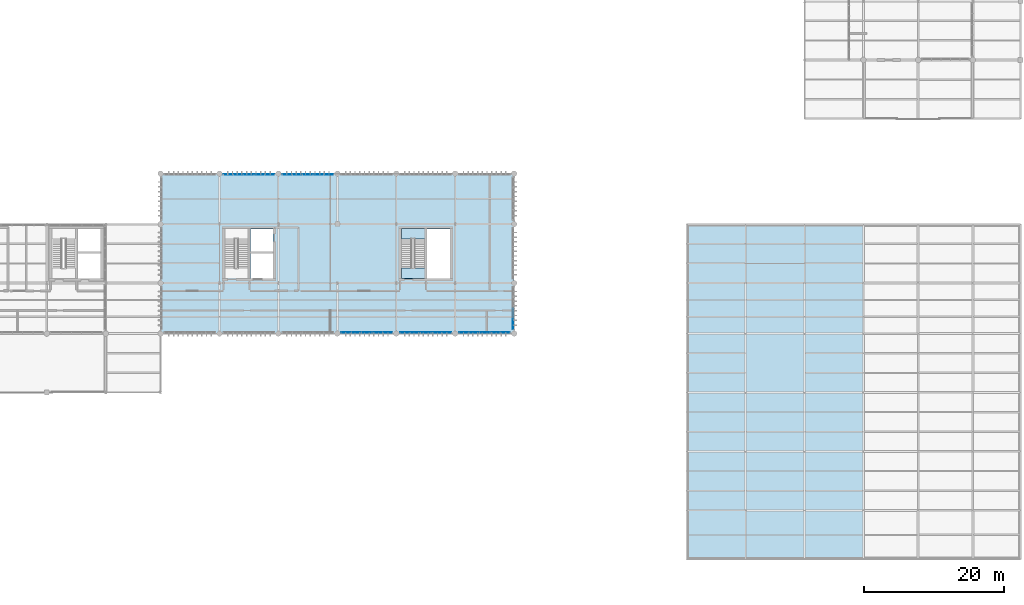
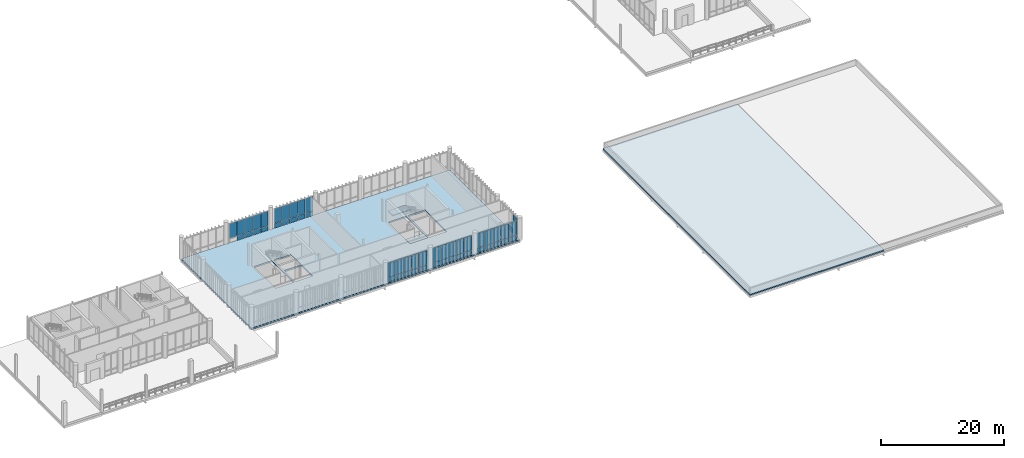
# One storey, part 53 of 68: 52 plates, 4 slabs, 7 elements without a shape of their own.
"""IFC4 building model written with IfcOpenShell, lengths in metres."""

from ifc_helpers import new_model, si_unit, direction, frame, frame_2d, origin_with_axes, place, context, subcontext, project, spatial, polyline, rectangle, outline, extrude, material, layer, layer_set, type_object, element, aggregate, save


model = new_model("IFC4")

# Units and contexts
model_context = context("Model", 3, precision=1e-05, world=origin_with_axes(), true_north=direction((0.0, 1.0)))
body_context = subcontext(model_context, "Body", "Model", "MODEL_VIEW")
ifc_project = project(units=[si_unit("LENGTHUNIT", "METRE"), si_unit("AREAUNIT", "SQUARE_METRE"), si_unit("VOLUMEUNIT", "CUBIC_METRE"), si_unit("PLANEANGLEUNIT", "RADIAN"), si_unit("MASSUNIT", "GRAM", prefix="KILO"), si_unit("THERMODYNAMICTEMPERATUREUNIT", "KELVIN")], contexts=[model_context])

# Site, building, storey
site_placement = place(None, origin_with_axes())
site = spatial("IfcSite", under=ifc_project, at=site_placement, CompositionType="ELEMENT")
building_placement = place(site_placement, origin_with_axes())
building = spatial("IfcBuilding", under=site, at=building_placement, Name="Montbau Bow Law Courts", CompositionType="ELEMENT")
storey_placement = place(building_placement, frame((0.0, 0.0, 20.4), z_axis=(0.0, 0.0, 1.0), x_axis=(1.0, 0.0, 0.0)))
storey = spatial("IfcBuildingStorey", under=building, at=storey_placement, Name="L04", CompositionType="ELEMENT", Elevation=20.4)

# Curtain wall, plates
ifc_material_1 = material(Name="Thermally Broken Extruded Aluminium AA 6063-T6", Category="aluminium")
curtain_wall_type = type_object("IfcCurtainWallType", Name="CW-CRM-01", PredefinedType="NOTDEFINED", material=ifc_material_1)
curtain_wall_1_placement = place(None, frame((72.515, 39.14, 20.4), z_axis=(0.0, 0.0, 1.0), x_axis=(1.0, 0.0, 0.0)))
curtain_wall_1 = element("IfcCurtainWall", 1, at=curtain_wall_1_placement, inside=storey, type_object=curtain_wall_type, Name="CW-L04-196:cw_0196", PredefinedType="NOTDEFINED")
ifc_material_2 = material(Name="Triple-Glazed Low-E Argon Insulating Glass Unit", Category="glass")
ifc_layer_1 = layer(ifc_material_2, 0.044, Name="Curtain Panel", Category="glass")
ifc_layer_set_1 = layer_set([ifc_layer_1], Name="Triple-Glazed Low-E Argon Insulating Glass Unit")
plate_type_1 = type_object("IfcPlateType", Name="PL-CWP-01", PredefinedType="CURTAIN_PANEL", material=ifc_layer_set_1)
plate_1_placement = place(None, frame((72.583, 39.14, 21.382), z_axis=(0.0, -1.0, 0.0), x_axis=(1.0, 0.0, 0.0)))
plate_1 = element("IfcPlate", 2, at=plate_1_placement, type_object=plate_type_1, Name="CW-L04-196-P01-2:cw_0196_P01_2", PredefinedType="CURTAIN_PANEL", context=body_context, shape_type="SweptSolid", body=[
    extrude(rectangle(XDim=1.372, YDim=2.876, at=frame_2d((0.686, 1.438), x_axis=(1.0, 0.0))), frame((0.0, 0.0, -0.022), z_axis=(0.0, 0.0, 1.0), x_axis=(1.0, 0.0, 0.0)), (0.0, 0.0, 1.0), 0.044),
])
plate_2_placement = place(None, frame((74.023, 39.14, 21.382), z_axis=(0.0, -1.0, 0.0), x_axis=(1.0, 0.0, 0.0)))
plate_2 = element("IfcPlate", 3, at=plate_2_placement, type_object=plate_type_1, Name="CW-L04-196-P02-2:cw_0196_P02_2", PredefinedType="CURTAIN_PANEL", context=body_context, shape_type="SweptSolid", body=[
    extrude(rectangle(XDim=1.405, YDim=2.876, at=frame_2d((0.7025, 1.438), x_axis=(1.0, 0.0))), frame((0.0, 0.0, -0.022), z_axis=(0.0, 0.0, 1.0), x_axis=(1.0, 0.0, 0.0)), (0.0, 0.0, 1.0), 0.044),
])
plate_3_placement = place(None, frame((75.497, 39.14, 21.382), z_axis=(0.0, -1.0, 0.0), x_axis=(1.0, 0.0, 0.0)))
plate_3 = element("IfcPlate", 4, at=plate_3_placement, type_object=plate_type_1, Name="CW-L04-196-P03-2:cw_0196_P03_2", PredefinedType="CURTAIN_PANEL", context=body_context, shape_type="SweptSolid", body=[
    extrude(rectangle(XDim=1.406, YDim=2.876, at=frame_2d((0.703, 1.438), x_axis=(1.0, 0.0))), frame((0.0, 0.0, -0.022), z_axis=(0.0, 0.0, 1.0), x_axis=(1.0, 0.0, 0.0)), (0.0, 0.0, 1.0), 0.044),
])
plate_4_placement = place(None, frame((76.971, 39.14, 21.382), z_axis=(0.0, -1.0, 0.0), x_axis=(1.0, 0.0, 0.0)))
plate_4 = element("IfcPlate", 5, at=plate_4_placement, type_object=plate_type_1, Name="CW-L04-196-P04-2:cw_0196_P04_2", PredefinedType="CURTAIN_PANEL", context=body_context, shape_type="SweptSolid", body=[
    extrude(rectangle(XDim=1.406, YDim=2.876, at=frame_2d((0.703, 1.438), x_axis=(1.0, 0.0))), frame((0.0, 0.0, -0.022), z_axis=(0.0, 0.0, 1.0), x_axis=(1.0, 0.0, 0.0)), (0.0, 0.0, 1.0), 0.044),
])
plate_5_placement = place(None, frame((78.445, 39.14, 21.382), z_axis=(0.0, -1.0, 0.0), x_axis=(1.0, 0.0, 0.0)))
plate_5 = element("IfcPlate", 6, at=plate_5_placement, type_object=plate_type_1, Name="CW-L04-196-P05-2:cw_0196_P05_2", PredefinedType="CURTAIN_PANEL", context=body_context, shape_type="SweptSolid", body=[
    extrude(rectangle(XDim=1.374, YDim=2.876, at=frame_2d((0.687, 1.438), x_axis=(1.0, 0.0))), frame((0.0, 0.0, -0.022), z_axis=(0.0, 0.0, 1.0), x_axis=(1.0, 0.0, 0.0)), (0.0, 0.0, 1.0), 0.044),
])

curtain_wall_2_placement = place(None, frame((80.915, 39.14, 20.4), z_axis=(0.0, 0.0, 1.0), x_axis=(1.0, 0.0, 0.0)))
curtain_wall_2 = element("IfcCurtainWall", 7, at=curtain_wall_2_placement, inside=storey, type_object=curtain_wall_type, Name="CW-L04-197:cw_0197", PredefinedType="NOTDEFINED")
plate_6_placement = place(None, frame((80.977, 39.14, 21.38), z_axis=(0.0, -1.0, 0.0), x_axis=(1.0, 0.0, 0.0)))
plate_6 = element("IfcPlate", 8, at=plate_6_placement, type_object=plate_type_1, Name="CW-L04-197-P01-2:cw_0197_P01_2", PredefinedType="CURTAIN_PANEL", context=body_context, shape_type="SweptSolid", body=[
    extrude(rectangle(XDim=1.38, YDim=2.884, at=frame_2d((0.69, 1.442), x_axis=(1.0, 0.0))), frame((0.0, 0.0, -0.022), z_axis=(0.0, 0.0, 1.0), x_axis=(1.0, 0.0, 0.0)), (0.0, 0.0, 1.0), 0.044),
])
plate_7_placement = place(None, frame((82.421, 39.14, 21.38), z_axis=(0.0, -1.0, 0.0), x_axis=(1.0, 0.0, 0.0)))
plate_7 = element("IfcPlate", 9, at=plate_7_placement, type_object=plate_type_1, Name="CW-L04-197-P02-2:cw_0197_P02_2", PredefinedType="CURTAIN_PANEL", context=body_context, shape_type="SweptSolid", body=[
    extrude(rectangle(XDim=1.41, YDim=2.884, at=frame_2d((0.705, 1.442), x_axis=(1.0, 0.0))), frame((0.0, 0.0, -0.022), z_axis=(0.0, 0.0, 1.0), x_axis=(1.0, 0.0, 0.0)), (0.0, 0.0, 1.0), 0.044),
])
plate_8_placement = place(None, frame((83.895, 39.14, 21.38), z_axis=(0.0, -1.0, 0.0), x_axis=(1.0, 0.0, 0.0)))
plate_8 = element("IfcPlate", 10, at=plate_8_placement, type_object=plate_type_1, Name="CW-L04-197-P03-2:cw_0197_P03_2", PredefinedType="CURTAIN_PANEL", context=body_context, shape_type="SweptSolid", body=[
    extrude(rectangle(XDim=1.41, YDim=2.884, at=frame_2d((0.705, 1.442), x_axis=(1.0, 0.0))), frame((0.0, 0.0, -0.022), z_axis=(0.0, 0.0, 1.0), x_axis=(1.0, 0.0, 0.0)), (0.0, 0.0, 1.0), 0.044),
])
plate_9_placement = place(None, frame((85.369, 39.14, 21.38), z_axis=(0.0, -1.0, 0.0), x_axis=(1.0, 0.0, 0.0)))
plate_9 = element("IfcPlate", 11, at=plate_9_placement, type_object=plate_type_1, Name="CW-L04-197-P04-2:cw_0197_P04_2", PredefinedType="CURTAIN_PANEL", context=body_context, shape_type="SweptSolid", body=[
    extrude(rectangle(XDim=1.41, YDim=2.884, at=frame_2d((0.705, 1.442), x_axis=(1.0, 0.0))), frame((0.0, 0.0, -0.022), z_axis=(0.0, 0.0, 1.0), x_axis=(1.0, 0.0, 0.0)), (0.0, 0.0, 1.0), 0.044),
])
plate_10_placement = place(None, frame((86.843, 39.14, 21.38), z_axis=(0.0, -1.0, 0.0), x_axis=(1.0, 0.0, 0.0)))
plate_10 = element("IfcPlate", 12, at=plate_10_placement, type_object=plate_type_1, Name="CW-L04-197-P05-2:cw_0197_P05_2", PredefinedType="CURTAIN_PANEL", context=body_context, shape_type="SweptSolid", body=[
    extrude(rectangle(XDim=1.38, YDim=2.884, at=frame_2d((0.69, 1.442), x_axis=(1.0, 0.0))), frame((0.0, 0.0, -0.022), z_axis=(0.0, 0.0, 1.0), x_axis=(1.0, 0.0, 0.0)), (0.0, 0.0, 1.0), 0.044),
])

curtain_wall_3_placement = place(None, frame((89.315, 39.14, 20.4), z_axis=(0.0, 0.0, 1.0), x_axis=(1.0, 0.0, 0.0)))
curtain_wall_3 = element("IfcCurtainWall", 13, at=curtain_wall_3_placement, inside=storey, type_object=curtain_wall_type, Name="CW-L04-198:cw_0198", PredefinedType="NOTDEFINED")
plate_11_placement = place(None, frame((89.391, 39.14, 21.382), z_axis=(0.0, -1.0, 0.0), x_axis=(1.0, 0.0, 0.0)))
plate_11 = element("IfcPlate", 14, at=plate_11_placement, type_object=plate_type_1, Name="CW-L04-198-P01-2:cw_0198_P01_2", PredefinedType="CURTAIN_PANEL", context=body_context, shape_type="SweptSolid", body=[
    extrude(rectangle(XDim=1.358, YDim=2.876, at=frame_2d((0.679, 1.438), x_axis=(1.0, 0.0))), frame((0.0, 0.0, -0.022), z_axis=(0.0, 0.0, 1.0), x_axis=(1.0, 0.0, 0.0)), (0.0, 0.0, 1.0), 0.044),
])
plate_12_placement = place(None, frame((90.829, 39.14, 21.382), z_axis=(0.0, -1.0, 0.0), x_axis=(1.0, 0.0, 0.0)))
plate_12 = element("IfcPlate", 15, at=plate_12_placement, type_object=plate_type_1, Name="CW-L04-198-P02-2:cw_0198_P02_2", PredefinedType="CURTAIN_PANEL", context=body_context, shape_type="SweptSolid", body=[
    extrude(rectangle(XDim=1.395, YDim=2.876, at=frame_2d((0.6975, 1.438), x_axis=(1.0, 0.0))), frame((0.0, 0.0, -0.022), z_axis=(0.0, 0.0, 1.0), x_axis=(1.0, 0.0, 0.0)), (0.0, 0.0, 1.0), 0.044),
])
plate_13_placement = place(None, frame((92.302, 39.14, 21.382), z_axis=(0.0, -1.0, 0.0), x_axis=(1.0, 0.0, 0.0)))
plate_13 = element("IfcPlate", 16, at=plate_13_placement, type_object=plate_type_1, Name="CW-L04-198-P03-2:cw_0198_P03_2", PredefinedType="CURTAIN_PANEL", context=body_context, shape_type="SweptSolid", body=[
    extrude(rectangle(XDim=1.396, YDim=2.876, at=frame_2d((0.698, 1.438), x_axis=(1.0, 0.0))), frame((0.0, 0.0, -0.022), z_axis=(0.0, 0.0, 1.0), x_axis=(1.0, 0.0, 0.0)), (0.0, 0.0, 1.0), 0.044),
])
plate_14_placement = place(None, frame((93.776, 39.14, 21.382), z_axis=(0.0, -1.0, 0.0), x_axis=(1.0, 0.0, 0.0)))
plate_14 = element("IfcPlate", 17, at=plate_14_placement, type_object=plate_type_1, Name="CW-L04-198-P04-2:cw_0198_P04_2", PredefinedType="CURTAIN_PANEL", context=body_context, shape_type="SweptSolid", body=[
    extrude(rectangle(XDim=1.396, YDim=2.876, at=frame_2d((0.698, 1.438), x_axis=(1.0, 0.0))), frame((0.0, 0.0, -0.022), z_axis=(0.0, 0.0, 1.0), x_axis=(1.0, 0.0, 0.0)), (0.0, 0.0, 1.0), 0.044),
])
plate_15_placement = place(None, frame((95.25, 39.14, 21.382), z_axis=(0.0, -1.0, 0.0), x_axis=(1.0, 0.0, 0.0)))
plate_15 = element("IfcPlate", 18, at=plate_15_placement, type_object=plate_type_1, Name="CW-L04-198-P05-2:cw_0198_P05_2", PredefinedType="CURTAIN_PANEL", context=body_context, shape_type="SweptSolid", body=[
    extrude(rectangle(XDim=1.359, YDim=2.876, at=frame_2d((0.6795, 1.438), x_axis=(1.0, 0.0))), frame((0.0, 0.0, -0.022), z_axis=(0.0, 0.0, 1.0), x_axis=(1.0, 0.0, 0.0)), (0.0, 0.0, 1.0), 0.044),
])

curtain_wall_4_placement = place(None, frame((55.715, 61.66, 20.4), z_axis=(0.0, 0.0, 1.0), x_axis=(1.0, 0.0, 0.0)))
curtain_wall_4 = element("IfcCurtainWall", 19, at=curtain_wall_4_placement, inside=storey, type_object=curtain_wall_type, Name="CW-L04-200:cw_0200", PredefinedType="NOTDEFINED")
plate_16_placement = place(None, frame((55.777, 61.66, 21.382), z_axis=(0.0, -1.0, 0.0), x_axis=(1.0, 0.0, 0.0)))
plate_16 = element("IfcPlate", 20, at=plate_16_placement, type_object=plate_type_1, Name="CW-L04-200-P01-2:cw_0200_P01_2", PredefinedType="CURTAIN_PANEL", context=body_context, shape_type="SweptSolid", body=[
    extrude(rectangle(XDim=1.38, YDim=2.876, at=frame_2d((0.69, 1.438), x_axis=(1.0, 0.0))), frame((0.0, 0.0, -0.022), z_axis=(0.0, 0.0, 1.0), x_axis=(1.0, 0.0, 0.0)), (0.0, 0.0, 1.0), 0.044),
])
plate_17_placement = place(None, frame((57.221, 61.66, 21.382), z_axis=(0.0, -1.0, 0.0), x_axis=(1.0, 0.0, 0.0)))
plate_17 = element("IfcPlate", 21, at=plate_17_placement, type_object=plate_type_1, Name="CW-L04-200-P02-2:cw_0200_P02_2", PredefinedType="CURTAIN_PANEL", context=body_context, shape_type="SweptSolid", body=[
    extrude(rectangle(XDim=1.41, YDim=2.876, at=frame_2d((0.705, 1.438), x_axis=(1.0, 0.0))), frame((0.0, 0.0, -0.022), z_axis=(0.0, 0.0, 1.0), x_axis=(1.0, 0.0, 0.0)), (0.0, 0.0, 1.0), 0.044),
])
plate_18_placement = place(None, frame((58.695, 61.66, 21.382), z_axis=(0.0, -1.0, 0.0), x_axis=(1.0, 0.0, 0.0)))
plate_18 = element("IfcPlate", 22, at=plate_18_placement, type_object=plate_type_1, Name="CW-L04-200-P03-2:cw_0200_P03_2", PredefinedType="CURTAIN_PANEL", context=body_context, shape_type="SweptSolid", body=[
    extrude(rectangle(XDim=1.41, YDim=2.876, at=frame_2d((0.705, 1.438), x_axis=(1.0, 0.0))), frame((0.0, 0.0, -0.022), z_axis=(0.0, 0.0, 1.0), x_axis=(1.0, 0.0, 0.0)), (0.0, 0.0, 1.0), 0.044),
])
plate_19_placement = place(None, frame((60.169, 61.66, 21.382), z_axis=(0.0, -1.0, 0.0), x_axis=(1.0, 0.0, 0.0)))
plate_19 = element("IfcPlate", 23, at=plate_19_placement, type_object=plate_type_1, Name="CW-L04-200-P04-2:cw_0200_P04_2", PredefinedType="CURTAIN_PANEL", context=body_context, shape_type="SweptSolid", body=[
    extrude(rectangle(XDim=1.41, YDim=2.876, at=frame_2d((0.705, 1.438), x_axis=(1.0, 0.0))), frame((0.0, 0.0, -0.022), z_axis=(0.0, 0.0, 1.0), x_axis=(1.0, 0.0, 0.0)), (0.0, 0.0, 1.0), 0.044),
])
plate_20_placement = place(None, frame((61.643, 61.66, 21.382), z_axis=(0.0, -1.0, 0.0), x_axis=(1.0, 0.0, 0.0)))
plate_20 = element("IfcPlate", 24, at=plate_20_placement, type_object=plate_type_1, Name="CW-L04-200-P05-2:cw_0200_P05_2", PredefinedType="CURTAIN_PANEL", context=body_context, shape_type="SweptSolid", body=[
    extrude(rectangle(XDim=1.38, YDim=2.876, at=frame_2d((0.69, 1.438), x_axis=(1.0, 0.0))), frame((0.0, 0.0, -0.022), z_axis=(0.0, 0.0, 1.0), x_axis=(1.0, 0.0, 0.0)), (0.0, 0.0, 1.0), 0.044),
])

curtain_wall_5_placement = place(None, frame((64.115, 61.66, 20.4), z_axis=(0.0, 0.0, 1.0), x_axis=(1.0, 0.0, 0.0)))
curtain_wall_5 = element("IfcCurtainWall", 25, at=curtain_wall_5_placement, inside=storey, type_object=curtain_wall_type, Name="CW-L04-201:cw_0201", PredefinedType="NOTDEFINED")
plate_21_placement = place(None, frame((64.191, 61.66, 21.38), z_axis=(0.0, -1.0, 0.0), x_axis=(1.0, 0.0, 0.0)))
plate_21 = element("IfcPlate", 26, at=plate_21_placement, type_object=plate_type_1, Name="CW-L04-201-P01-2:cw_0201_P01_2", PredefinedType="CURTAIN_PANEL", context=body_context, shape_type="SweptSolid", body=[
    extrude(rectangle(XDim=1.358, YDim=2.884, at=frame_2d((0.679, 1.442), x_axis=(1.0, 0.0))), frame((0.0, 0.0, -0.022), z_axis=(0.0, 0.0, 1.0), x_axis=(1.0, 0.0, 0.0)), (0.0, 0.0, 1.0), 0.044),
])
plate_22_placement = place(None, frame((65.629, 61.66, 21.38), z_axis=(0.0, -1.0, 0.0), x_axis=(1.0, 0.0, 0.0)))
plate_22 = element("IfcPlate", 27, at=plate_22_placement, type_object=plate_type_1, Name="CW-L04-201-P02-2:cw_0201_P02_2", PredefinedType="CURTAIN_PANEL", context=body_context, shape_type="SweptSolid", body=[
    extrude(rectangle(XDim=1.395, YDim=2.884, at=frame_2d((0.6975, 1.442), x_axis=(1.0, 0.0))), frame((0.0, 0.0, -0.022), z_axis=(0.0, 0.0, 1.0), x_axis=(1.0, 0.0, 0.0)), (0.0, 0.0, 1.0), 0.044),
])
plate_23_placement = place(None, frame((67.102, 61.66, 21.38), z_axis=(0.0, -1.0, 0.0), x_axis=(1.0, 0.0, 0.0)))
plate_23 = element("IfcPlate", 28, at=plate_23_placement, type_object=plate_type_1, Name="CW-L04-201-P03-2:cw_0201_P03_2", PredefinedType="CURTAIN_PANEL", context=body_context, shape_type="SweptSolid", body=[
    extrude(rectangle(XDim=1.396, YDim=2.884, at=frame_2d((0.698, 1.442), x_axis=(1.0, 0.0))), frame((0.0, 0.0, -0.022), z_axis=(0.0, 0.0, 1.0), x_axis=(1.0, 0.0, 0.0)), (0.0, 0.0, 1.0), 0.044),
])
plate_24_placement = place(None, frame((68.576, 61.66, 21.38), z_axis=(0.0, -1.0, 0.0), x_axis=(1.0, 0.0, 0.0)))
plate_24 = element("IfcPlate", 29, at=plate_24_placement, type_object=plate_type_1, Name="CW-L04-201-P04-2:cw_0201_P04_2", PredefinedType="CURTAIN_PANEL", context=body_context, shape_type="SweptSolid", body=[
    extrude(rectangle(XDim=1.396, YDim=2.884, at=frame_2d((0.698, 1.442), x_axis=(1.0, 0.0))), frame((0.0, 0.0, -0.022), z_axis=(0.0, 0.0, 1.0), x_axis=(1.0, 0.0, 0.0)), (0.0, 0.0, 1.0), 0.044),
])
plate_25_placement = place(None, frame((70.05, 61.66, 21.38), z_axis=(0.0, -1.0, 0.0), x_axis=(1.0, 0.0, 0.0)))
plate_25 = element("IfcPlate", 30, at=plate_25_placement, type_object=plate_type_1, Name="CW-L04-201-P05-2:cw_0201_P05_2", PredefinedType="CURTAIN_PANEL", context=body_context, shape_type="SweptSolid", body=[
    extrude(rectangle(XDim=1.359, YDim=2.884, at=frame_2d((0.6795, 1.442), x_axis=(1.0, 0.0))), frame((0.0, 0.0, -0.022), z_axis=(0.0, 0.0, 1.0), x_axis=(1.0, 0.0, 0.0)), (0.0, 0.0, 1.0), 0.044),
])

# Curtain wall, plate
curtain_wall_6_placement = place(None, frame((97.06, 39.515, 20.4), z_axis=(0.0, 0.0, 1.0), x_axis=(1.0, 0.0, 0.0)))
curtain_wall_6 = element("IfcCurtainWall", 31, at=curtain_wall_6_placement, inside=storey, type_object=curtain_wall_type, Name="CW-L04-208:cw_0208", PredefinedType="NOTDEFINED")
plate_26_placement = place(None, frame((97.06, 39.583, 21.382), z_axis=(1.0, 0.0, 0.0), x_axis=(0.0, 1.0, 0.0)))
plate_26 = element("IfcPlate", 32, at=plate_26_placement, type_object=plate_type_1, Name="CW-L04-208-P01-2:cw_0208_P01_2", PredefinedType="CURTAIN_PANEL", context=body_context, shape_type="SweptSolid", body=[
    extrude(rectangle(XDim=1.44, YDim=2.876, at=frame_2d((0.72, 1.438), x_axis=(1.0, 0.0))), frame((0.0, 0.0, -0.022), z_axis=(0.0, 0.0, 1.0), x_axis=(1.0, 0.0, 0.0)), (0.0, 0.0, 1.0), 0.044),
])

# Plate
ifc_material_3 = material(Name="Insulated Ceramic-Frit Spandrel Glazing Unit", Category="glass")
ifc_layer_2 = layer(ifc_material_3, 0.056, Name="Curtain Panel", Category="glass")
ifc_layer_set_2 = layer_set([ifc_layer_2], Name="Insulated Ceramic-Frit Spandrel Glazing Unit")
plate_type_2 = type_object("IfcPlateType", Name="PL-CWP-02", PredefinedType="CURTAIN_PANEL", material=ifc_layer_set_2)
plate_27_placement = place(None, frame((72.583, 39.14, 20.462), z_axis=(0.0, -1.0, 0.0), x_axis=(1.0, 0.0, 0.0)))
plate_27 = element("IfcPlate", 33, at=plate_27_placement, type_object=plate_type_2, Name="CW-L04-196-P01-1:cw_0196_P01_1", PredefinedType="CURTAIN_PANEL", context=body_context, shape_type="SweptSolid", body=[
    extrude(rectangle(XDim=1.372, YDim=0.856, at=frame_2d((0.686, 0.428), x_axis=(1.0, 0.0))), frame((0.0, 0.0, -0.028), z_axis=(0.0, 0.0, 1.0), x_axis=(1.0, 0.0, 0.0)), (0.0, 0.0, 1.0), 0.056),
])

plate_28_placement = place(None, frame((74.023, 39.14, 20.462), z_axis=(0.0, -1.0, 0.0), x_axis=(1.0, 0.0, 0.0)))
plate_28 = element("IfcPlate", 34, at=plate_28_placement, type_object=plate_type_2, Name="CW-L04-196-P02-1:cw_0196_P02_1", PredefinedType="CURTAIN_PANEL", context=body_context, shape_type="SweptSolid", body=[
    extrude(rectangle(XDim=1.405, YDim=0.856, at=frame_2d((0.7025, 0.428), x_axis=(1.0, 0.0))), frame((0.0, 0.0, -0.028), z_axis=(0.0, 0.0, 1.0), x_axis=(1.0, 0.0, 0.0)), (0.0, 0.0, 1.0), 0.056),
])

plate_29_placement = place(None, frame((75.497, 39.14, 20.462), z_axis=(0.0, -1.0, 0.0), x_axis=(1.0, 0.0, 0.0)))
plate_29 = element("IfcPlate", 35, at=plate_29_placement, type_object=plate_type_2, Name="CW-L04-196-P03-1:cw_0196_P03_1", PredefinedType="CURTAIN_PANEL", context=body_context, shape_type="SweptSolid", body=[
    extrude(rectangle(XDim=1.406, YDim=0.856, at=frame_2d((0.703, 0.428), x_axis=(1.0, 0.0))), frame((0.0, 0.0, -0.028), z_axis=(0.0, 0.0, 1.0), x_axis=(1.0, 0.0, 0.0)), (0.0, 0.0, 1.0), 0.056),
])

plate_30_placement = place(None, frame((76.971, 39.14, 20.462), z_axis=(0.0, -1.0, 0.0), x_axis=(1.0, 0.0, 0.0)))
plate_30 = element("IfcPlate", 36, at=plate_30_placement, type_object=plate_type_2, Name="CW-L04-196-P04-1:cw_0196_P04_1", PredefinedType="CURTAIN_PANEL", context=body_context, shape_type="SweptSolid", body=[
    extrude(rectangle(XDim=1.406, YDim=0.856, at=frame_2d((0.703, 0.428), x_axis=(1.0, 0.0))), frame((0.0, 0.0, -0.028), z_axis=(0.0, 0.0, 1.0), x_axis=(1.0, 0.0, 0.0)), (0.0, 0.0, 1.0), 0.056),
])

plate_31_placement = place(None, frame((78.445, 39.14, 20.462), z_axis=(0.0, -1.0, 0.0), x_axis=(1.0, 0.0, 0.0)))
plate_31 = element("IfcPlate", 37, at=plate_31_placement, type_object=plate_type_2, Name="CW-L04-196-P05-1:cw_0196_P05_1", PredefinedType="CURTAIN_PANEL", context=body_context, shape_type="SweptSolid", body=[
    extrude(rectangle(XDim=1.374, YDim=0.856, at=frame_2d((0.687, 0.428), x_axis=(1.0, 0.0))), frame((0.0, 0.0, -0.028), z_axis=(0.0, 0.0, 1.0), x_axis=(1.0, 0.0, 0.0)), (0.0, 0.0, 1.0), 0.056),
])

aggregate(curtain_wall_1, [plate_27, plate_1, plate_28, plate_2, plate_29, plate_3, plate_30, plate_4, plate_31, plate_5])

plate_32_placement = place(None, frame((80.977, 39.14, 20.456), z_axis=(0.0, -1.0, 0.0), x_axis=(1.0, 0.0, 0.0)))
plate_32 = element("IfcPlate", 38, at=plate_32_placement, type_object=plate_type_2, Name="CW-L04-197-P01-1:cw_0197_P01_1", PredefinedType="CURTAIN_PANEL", context=body_context, shape_type="SweptSolid", body=[
    extrude(rectangle(XDim=1.38, YDim=0.865, at=frame_2d((0.69, 0.4325), x_axis=(1.0, 0.0))), frame((0.0, 0.0, -0.028), z_axis=(0.0, 0.0, 1.0), x_axis=(1.0, 0.0, 0.0)), (0.0, 0.0, 1.0), 0.056),
])

plate_33_placement = place(None, frame((82.421, 39.14, 20.456), z_axis=(0.0, -1.0, 0.0), x_axis=(1.0, 0.0, 0.0)))
plate_33 = element("IfcPlate", 39, at=plate_33_placement, type_object=plate_type_2, Name="CW-L04-197-P02-1:cw_0197_P02_1", PredefinedType="CURTAIN_PANEL", context=body_context, shape_type="SweptSolid", body=[
    extrude(rectangle(XDim=1.41, YDim=0.865, at=frame_2d((0.705, 0.4325), x_axis=(1.0, 0.0))), frame((0.0, 0.0, -0.028), z_axis=(0.0, 0.0, 1.0), x_axis=(1.0, 0.0, 0.0)), (0.0, 0.0, 1.0), 0.056),
])

plate_34_placement = place(None, frame((83.895, 39.14, 20.456), z_axis=(0.0, -1.0, 0.0), x_axis=(1.0, 0.0, 0.0)))
plate_34 = element("IfcPlate", 40, at=plate_34_placement, type_object=plate_type_2, Name="CW-L04-197-P03-1:cw_0197_P03_1", PredefinedType="CURTAIN_PANEL", context=body_context, shape_type="SweptSolid", body=[
    extrude(rectangle(XDim=1.41, YDim=0.865, at=frame_2d((0.705, 0.4325), x_axis=(1.0, 0.0))), frame((0.0, 0.0, -0.028), z_axis=(0.0, 0.0, 1.0), x_axis=(1.0, 0.0, 0.0)), (0.0, 0.0, 1.0), 0.056),
])

plate_35_placement = place(None, frame((85.369, 39.14, 20.456), z_axis=(0.0, -1.0, 0.0), x_axis=(1.0, 0.0, 0.0)))
plate_35 = element("IfcPlate", 41, at=plate_35_placement, type_object=plate_type_2, Name="CW-L04-197-P04-1:cw_0197_P04_1", PredefinedType="CURTAIN_PANEL", context=body_context, shape_type="SweptSolid", body=[
    extrude(rectangle(XDim=1.41, YDim=0.865, at=frame_2d((0.705, 0.4325), x_axis=(1.0, 0.0))), frame((0.0, 0.0, -0.028), z_axis=(0.0, 0.0, 1.0), x_axis=(1.0, 0.0, 0.0)), (0.0, 0.0, 1.0), 0.056),
])

plate_36_placement = place(None, frame((86.843, 39.14, 20.456), z_axis=(0.0, -1.0, 0.0), x_axis=(1.0, 0.0, 0.0)))
plate_36 = element("IfcPlate", 42, at=plate_36_placement, type_object=plate_type_2, Name="CW-L04-197-P05-1:cw_0197_P05_1", PredefinedType="CURTAIN_PANEL", context=body_context, shape_type="SweptSolid", body=[
    extrude(rectangle(XDim=1.38, YDim=0.865, at=frame_2d((0.69, 0.4325), x_axis=(1.0, 0.0))), frame((0.0, 0.0, -0.028), z_axis=(0.0, 0.0, 1.0), x_axis=(1.0, 0.0, 0.0)), (0.0, 0.0, 1.0), 0.056),
])

aggregate(curtain_wall_2, [plate_32, plate_6, plate_33, plate_7, plate_34, plate_8, plate_35, plate_9, plate_36, plate_10])

plate_37_placement = place(None, frame((89.391, 39.14, 20.462), z_axis=(0.0, -1.0, 0.0), x_axis=(1.0, 0.0, 0.0)))
plate_37 = element("IfcPlate", 43, at=plate_37_placement, type_object=plate_type_2, Name="CW-L04-198-P01-1:cw_0198_P01_1", PredefinedType="CURTAIN_PANEL", context=body_context, shape_type="SweptSolid", body=[
    extrude(rectangle(XDim=1.358, YDim=0.856, at=frame_2d((0.679, 0.428), x_axis=(1.0, 0.0))), frame((0.0, 0.0, -0.028), z_axis=(0.0, 0.0, 1.0), x_axis=(1.0, 0.0, 0.0)), (0.0, 0.0, 1.0), 0.056),
])

plate_38_placement = place(None, frame((90.829, 39.14, 20.462), z_axis=(0.0, -1.0, 0.0), x_axis=(1.0, 0.0, 0.0)))
plate_38 = element("IfcPlate", 44, at=plate_38_placement, type_object=plate_type_2, Name="CW-L04-198-P02-1:cw_0198_P02_1", PredefinedType="CURTAIN_PANEL", context=body_context, shape_type="SweptSolid", body=[
    extrude(rectangle(XDim=1.395, YDim=0.856, at=frame_2d((0.6975, 0.428), x_axis=(1.0, 0.0))), frame((0.0, 0.0, -0.028), z_axis=(0.0, 0.0, 1.0), x_axis=(1.0, 0.0, 0.0)), (0.0, 0.0, 1.0), 0.056),
])

plate_39_placement = place(None, frame((92.302, 39.14, 20.462), z_axis=(0.0, -1.0, 0.0), x_axis=(1.0, 0.0, 0.0)))
plate_39 = element("IfcPlate", 45, at=plate_39_placement, type_object=plate_type_2, Name="CW-L04-198-P03-1:cw_0198_P03_1", PredefinedType="CURTAIN_PANEL", context=body_context, shape_type="SweptSolid", body=[
    extrude(rectangle(XDim=1.396, YDim=0.856, at=frame_2d((0.698, 0.428), x_axis=(1.0, 0.0))), frame((0.0, 0.0, -0.028), z_axis=(0.0, 0.0, 1.0), x_axis=(1.0, 0.0, 0.0)), (0.0, 0.0, 1.0), 0.056),
])

plate_40_placement = place(None, frame((93.776, 39.14, 20.462), z_axis=(0.0, -1.0, 0.0), x_axis=(1.0, 0.0, 0.0)))
plate_40 = element("IfcPlate", 46, at=plate_40_placement, type_object=plate_type_2, Name="CW-L04-198-P04-1:cw_0198_P04_1", PredefinedType="CURTAIN_PANEL", context=body_context, shape_type="SweptSolid", body=[
    extrude(rectangle(XDim=1.396, YDim=0.856, at=frame_2d((0.698, 0.428), x_axis=(1.0, 0.0))), frame((0.0, 0.0, -0.028), z_axis=(0.0, 0.0, 1.0), x_axis=(1.0, 0.0, 0.0)), (0.0, 0.0, 1.0), 0.056),
])

plate_41_placement = place(None, frame((95.25, 39.14, 20.462), z_axis=(0.0, -1.0, 0.0), x_axis=(1.0, 0.0, 0.0)))
plate_41 = element("IfcPlate", 47, at=plate_41_placement, type_object=plate_type_2, Name="CW-L04-198-P05-1:cw_0198_P05_1", PredefinedType="CURTAIN_PANEL", context=body_context, shape_type="SweptSolid", body=[
    extrude(rectangle(XDim=1.359, YDim=0.856, at=frame_2d((0.6795, 0.428), x_axis=(1.0, 0.0))), frame((0.0, 0.0, -0.028), z_axis=(0.0, 0.0, 1.0), x_axis=(1.0, 0.0, 0.0)), (0.0, 0.0, 1.0), 0.056),
])

aggregate(curtain_wall_3, [plate_37, plate_11, plate_38, plate_12, plate_39, plate_13, plate_40, plate_14, plate_41, plate_15])

plate_42_placement = place(None, frame((57.221, 61.66, 20.462), z_axis=(0.0, -1.0, 0.0), x_axis=(1.0, 0.0, 0.0)))
plate_42 = element("IfcPlate", 48, at=plate_42_placement, type_object=plate_type_2, Name="CW-L04-200-P02-1:cw_0200_P02_1", PredefinedType="CURTAIN_PANEL", context=body_context, shape_type="SweptSolid", body=[
    extrude(rectangle(XDim=1.41, YDim=0.856, at=frame_2d((0.705, 0.428), x_axis=(1.0, 0.0))), frame((0.0, 0.0, -0.028), z_axis=(0.0, 0.0, 1.0), x_axis=(1.0, 0.0, 0.0)), (0.0, 0.0, 1.0), 0.056),
])

plate_43_placement = place(None, frame((58.695, 61.66, 20.462), z_axis=(0.0, -1.0, 0.0), x_axis=(1.0, 0.0, 0.0)))
plate_43 = element("IfcPlate", 49, at=plate_43_placement, type_object=plate_type_2, Name="CW-L04-200-P03-1:cw_0200_P03_1", PredefinedType="CURTAIN_PANEL", context=body_context, shape_type="SweptSolid", body=[
    extrude(rectangle(XDim=1.41, YDim=0.856, at=frame_2d((0.705, 0.428), x_axis=(1.0, 0.0))), frame((0.0, 0.0, -0.028), z_axis=(0.0, 0.0, 1.0), x_axis=(1.0, 0.0, 0.0)), (0.0, 0.0, 1.0), 0.056),
])

plate_44_placement = place(None, frame((60.169, 61.66, 20.462), z_axis=(0.0, -1.0, 0.0), x_axis=(1.0, 0.0, 0.0)))
plate_44 = element("IfcPlate", 50, at=plate_44_placement, type_object=plate_type_2, Name="CW-L04-200-P04-1:cw_0200_P04_1", PredefinedType="CURTAIN_PANEL", context=body_context, shape_type="SweptSolid", body=[
    extrude(rectangle(XDim=1.41, YDim=0.856, at=frame_2d((0.705, 0.428), x_axis=(1.0, 0.0))), frame((0.0, 0.0, -0.028), z_axis=(0.0, 0.0, 1.0), x_axis=(1.0, 0.0, 0.0)), (0.0, 0.0, 1.0), 0.056),
])

plate_45_placement = place(None, frame((61.643, 61.66, 20.462), z_axis=(0.0, -1.0, 0.0), x_axis=(1.0, 0.0, 0.0)))
plate_45 = element("IfcPlate", 51, at=plate_45_placement, type_object=plate_type_2, Name="CW-L04-200-P05-1:cw_0200_P05_1", PredefinedType="CURTAIN_PANEL", context=body_context, shape_type="SweptSolid", body=[
    extrude(rectangle(XDim=1.38, YDim=0.856, at=frame_2d((0.69, 0.428), x_axis=(1.0, 0.0))), frame((0.0, 0.0, -0.028), z_axis=(0.0, 0.0, 1.0), x_axis=(1.0, 0.0, 0.0)), (0.0, 0.0, 1.0), 0.056),
])

aggregate(curtain_wall_4, [plate_16, plate_42, plate_17, plate_43, plate_18, plate_44, plate_19, plate_45, plate_20])

plate_46_placement = place(None, frame((64.191, 61.66, 20.456), z_axis=(0.0, -1.0, 0.0), x_axis=(1.0, 0.0, 0.0)))
plate_46 = element("IfcPlate", 52, at=plate_46_placement, type_object=plate_type_2, Name="CW-L04-201-P01-1:cw_0201_P01_1", PredefinedType="CURTAIN_PANEL", context=body_context, shape_type="SweptSolid", body=[
    extrude(rectangle(XDim=1.358, YDim=0.865, at=frame_2d((0.679, 0.4325), x_axis=(1.0, 0.0))), frame((0.0, 0.0, -0.028), z_axis=(0.0, 0.0, 1.0), x_axis=(1.0, 0.0, 0.0)), (0.0, 0.0, 1.0), 0.056),
])

plate_47_placement = place(None, frame((65.629, 61.66, 20.456), z_axis=(0.0, -1.0, 0.0), x_axis=(1.0, 0.0, 0.0)))
plate_47 = element("IfcPlate", 53, at=plate_47_placement, type_object=plate_type_2, Name="CW-L04-201-P02-1:cw_0201_P02_1", PredefinedType="CURTAIN_PANEL", context=body_context, shape_type="SweptSolid", body=[
    extrude(rectangle(XDim=1.395, YDim=0.865, at=frame_2d((0.6975, 0.4325), x_axis=(1.0, 0.0))), frame((0.0, 0.0, -0.028), z_axis=(0.0, 0.0, 1.0), x_axis=(1.0, 0.0, 0.0)), (0.0, 0.0, 1.0), 0.056),
])

plate_48_placement = place(None, frame((67.102, 61.66, 20.456), z_axis=(0.0, -1.0, 0.0), x_axis=(1.0, 0.0, 0.0)))
plate_48 = element("IfcPlate", 54, at=plate_48_placement, type_object=plate_type_2, Name="CW-L04-201-P03-1:cw_0201_P03_1", PredefinedType="CURTAIN_PANEL", context=body_context, shape_type="SweptSolid", body=[
    extrude(rectangle(XDim=1.396, YDim=0.865, at=frame_2d((0.698, 0.4325), x_axis=(1.0, 0.0))), frame((0.0, 0.0, -0.028), z_axis=(0.0, 0.0, 1.0), x_axis=(1.0, 0.0, 0.0)), (0.0, 0.0, 1.0), 0.056),
])

plate_49_placement = place(None, frame((68.576, 61.66, 20.456), z_axis=(0.0, -1.0, 0.0), x_axis=(1.0, 0.0, 0.0)))
plate_49 = element("IfcPlate", 55, at=plate_49_placement, type_object=plate_type_2, Name="CW-L04-201-P04-1:cw_0201_P04_1", PredefinedType="CURTAIN_PANEL", context=body_context, shape_type="SweptSolid", body=[
    extrude(rectangle(XDim=1.396, YDim=0.865, at=frame_2d((0.698, 0.4325), x_axis=(1.0, 0.0))), frame((0.0, 0.0, -0.028), z_axis=(0.0, 0.0, 1.0), x_axis=(1.0, 0.0, 0.0)), (0.0, 0.0, 1.0), 0.056),
])

plate_50_placement = place(None, frame((70.05, 61.66, 20.456), z_axis=(0.0, -1.0, 0.0), x_axis=(1.0, 0.0, 0.0)))
plate_50 = element("IfcPlate", 56, at=plate_50_placement, type_object=plate_type_2, Name="CW-L04-201-P05-1:cw_0201_P05_1", PredefinedType="CURTAIN_PANEL", context=body_context, shape_type="SweptSolid", body=[
    extrude(rectangle(XDim=1.359, YDim=0.865, at=frame_2d((0.6795, 0.4325), x_axis=(1.0, 0.0))), frame((0.0, 0.0, -0.028), z_axis=(0.0, 0.0, 1.0), x_axis=(1.0, 0.0, 0.0)), (0.0, 0.0, 1.0), 0.056),
])

aggregate(curtain_wall_5, [plate_46, plate_21, plate_47, plate_22, plate_48, plate_23, plate_49, plate_24, plate_50, plate_25])

plate_51_placement = place(None, frame((97.06, 39.583, 20.462), z_axis=(1.0, 0.0, 0.0), x_axis=(0.0, 1.0, 0.0)))
plate_51 = element("IfcPlate", 57, at=plate_51_placement, type_object=plate_type_2, Name="CW-L04-208-P01-1:cw_0208_P01_1", PredefinedType="CURTAIN_PANEL", context=body_context, shape_type="SweptSolid", body=[
    extrude(rectangle(XDim=1.44, YDim=0.856, at=frame_2d((0.72, 0.428), x_axis=(1.0, 0.0))), frame((0.0, 0.0, -0.028), z_axis=(0.0, 0.0, 1.0), x_axis=(1.0, 0.0, 0.0)), (0.0, 0.0, 1.0), 0.056),
])

plate_52_placement = place(None, frame((97.06, 41.092, 20.462), z_axis=(1.0, 0.0, 0.0), x_axis=(0.0, 1.0, 0.0)))
plate_52 = element("IfcPlate", 58, at=plate_52_placement, type_object=plate_type_2, Name="CW-L04-208-P02-1:cw_0208_P02_1", PredefinedType="CURTAIN_PANEL", context=body_context, shape_type="SweptSolid", body=[
    extrude(rectangle(XDim=1.473, YDim=0.856, at=frame_2d((0.7365, 0.428), x_axis=(1.0, 0.0))), frame((0.0, 0.0, -0.028), z_axis=(0.0, 0.0, 1.0), x_axis=(1.0, 0.0, 0.0)), (0.0, 0.0, 1.0), 0.056),
])

aggregate(curtain_wall_6, [plate_51, plate_26, plate_52])

# Slab
ifc_material_4 = material(Name="Concrete CSA A23.1 f'c 40 MPa", Category="concrete")
ifc_layer_3 = layer(ifc_material_4, 0.28, Name="Floor Slab", Category="concrete")
ifc_layer_set_3 = layer_set([ifc_layer_3], Name="Concrete CSA A23.1 f'c 40 MPa")
slab_type_1 = type_object("IfcSlabType", Name="SL-FLR-05", PredefinedType="FLOOR", material=ifc_layer_set_3)
slab_1_placement = place(None, frame((0.0, 0.0, 20.12), z_axis=(0.0, 0.0, 1.0), x_axis=(1.0, 0.0, 0.0)))
element("IfcSlab", 59, at=slab_1_placement, inside=storey, type_object=slab_type_1, Name="SL-V3-L04:slb_0019", PredefinedType="FLOOR", context=body_context, shape_type="SweptSolid", body=[
    extrude(outline(polyline([(46.8, 39.0), (97.2, 39.0), (97.2, 61.8), (46.8, 61.8), (46.8, 39.0)]), holes=[polyline([(55.92, 46.888), (59.3, 46.888), (59.3, 53.93), (55.92, 53.93), (55.92, 46.888)]), polyline([(59.6, 46.87), (62.835, 46.87), (62.835, 50.421), (59.6, 50.421), (59.6, 46.87)]), polyline([(59.6, 50.661), (62.835, 50.661), (62.835, 53.93), (59.6, 53.93), (59.6, 50.661)]), polyline([(81.12, 46.888), (84.5, 46.888), (84.5, 53.93), (81.12, 53.93), (81.12, 46.888)]), polyline([(84.8, 46.87), (88.035, 46.87), (88.035, 53.93), (84.8, 53.93), (84.8, 46.87)])]), origin_with_axes(), (0.0, 0.0, 1.0), 0.28),
])

# Stair, slabs
stair_type = type_object("IfcStairType", Name="ST-PUB-1800", PredefinedType="HALF_TURN_STAIR", material=ifc_material_4)
stair_placement = place(None, frame((81.89, 48.3, 20.4), z_axis=(0.0, 0.0, 1.0), x_axis=(1.0, 0.0, 0.0)))
stair = element("IfcStair", 60, at=stair_placement, inside=storey, type_object=stair_type, Name="ST-P3-L04:str_0030", PredefinedType="HALF_TURN_STAIR")
ifc_layer_4 = layer(ifc_material_4, 0.21, Name="Landing", Category="concrete")
ifc_layer_set_4 = layer_set([ifc_layer_4], Name="Concrete CSA A23.1 f'c 40 MPa")
slab_type_2 = type_object("IfcSlabType", Name="SL-LND-02", PredefinedType="LANDING", material=ifc_layer_set_4)
slab_2_placement = place(None, frame((0.0, 0.0, 20.19), z_axis=(0.0, 0.0, 1.0), x_axis=(1.0, 0.0, 0.0)))
slab_2 = element("IfcSlab", 61, at=slab_2_placement, type_object=slab_type_2, Name="ST-P3-L04-LB:str_0030_LB", PredefinedType="LANDING", context=body_context, shape_type="SweptSolid", body=[
    extrude(outline(polyline([(81.12, 46.87), (84.5, 46.87), (84.5, 48.34), (81.12, 48.34), (81.12, 46.87)])), origin_with_axes(), (0.0, 0.0, 1.0), 0.21),
])
slab_3_placement = place(None, frame((0.0, 0.0, 22.44), z_axis=(0.0, 0.0, 1.0), x_axis=(1.0, 0.0, 0.0)))
slab_3 = element("IfcSlab", 62, at=slab_3_placement, type_object=slab_type_2, Name="ST-P3-L04-LM:str_0030_LM", PredefinedType="LANDING", context=body_context, shape_type="SweptSolid", body=[
    extrude(outline(polyline([(81.12, 52.46), (84.5, 52.46), (84.5, 53.96), (81.12, 53.96), (81.12, 52.46)])), origin_with_axes(), (0.0, 0.0, 1.0), 0.21),
])
aggregate(stair, [slab_2, slab_3])

# Slab
ifc_layer_5 = layer(ifc_material_4, 0.25, Name="Roof Slab", Category="concrete")
ifc_layer_set_5 = layer_set([ifc_layer_5], Name="Concrete CSA A23.1 f'c 40 MPa")
slab_type_3 = type_object("IfcSlabType", Name="SL-ROF-01", PredefinedType="ROOF", material=ifc_layer_set_5)
slab_4_placement = place(None, frame((0.0, 0.0, 20.15), z_axis=(0.0, 0.0, 1.0), x_axis=(1.0, 0.0, 0.0)))
element("IfcSlab", 63, at=slab_4_placement, inside=storey, type_object=slab_type_3, Name="RF-SLB-V6R:slb_0050", PredefinedType="ROOF", context=body_context, shape_type="SweptSolid", body=[
    extrude(outline(polyline([(121.8, 6.8), (146.996, 6.8), (146.996, 54.6), (121.8, 54.6), (121.8, 6.8)])), origin_with_axes(), (0.0, 0.0, 1.0), 0.25),
])

save(model, "model.ifc")
